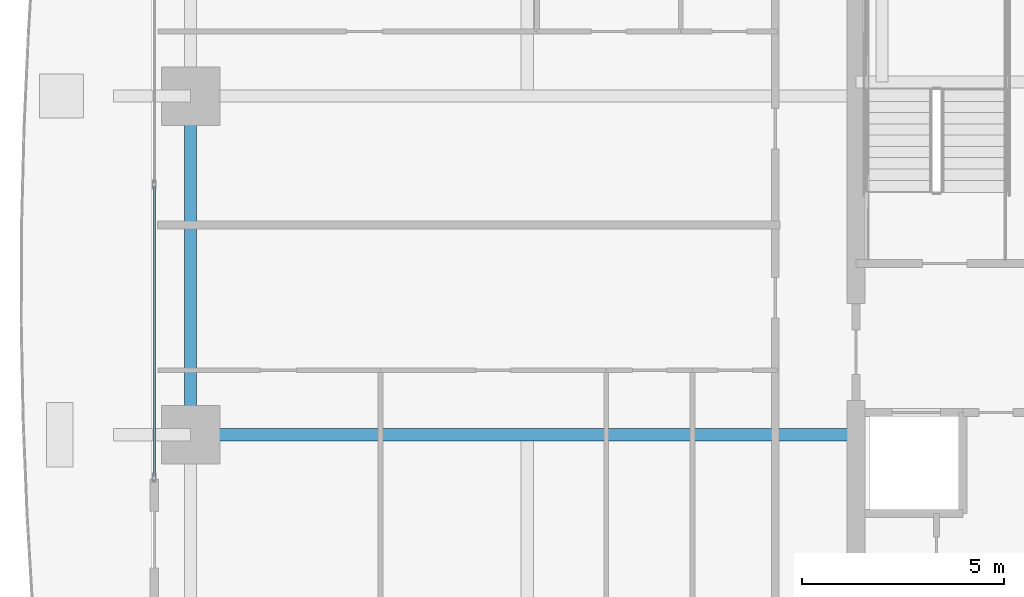
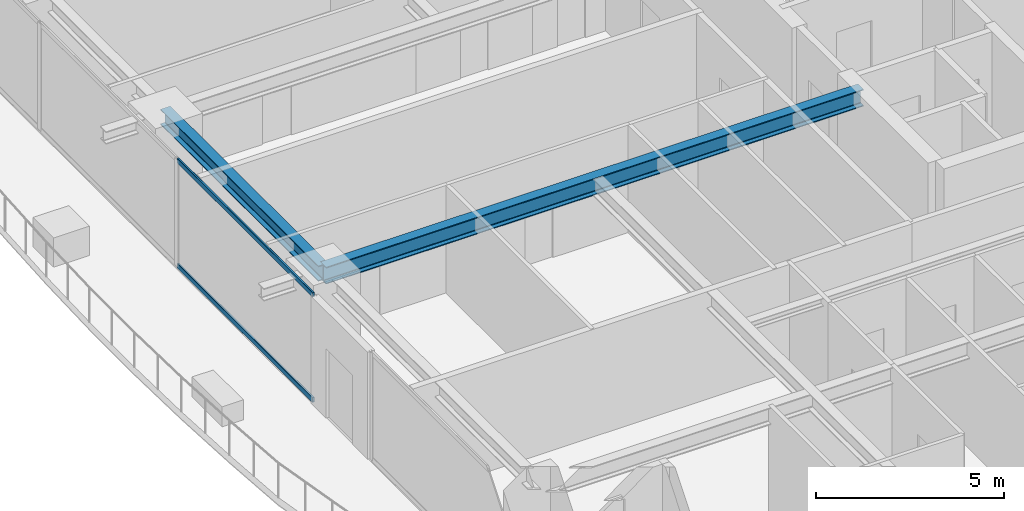
# One storey, part 7 of 39: 2 beams, 2 members, 1 element without a shape of its own.
"""IFC4 building model written with IfcOpenShell, lengths in metres."""

from ifc_helpers import new_model, si_unit, direction, frame, origin, origin_2d, place, context, subcontext, project, spatial, hollow_rectangle, i_section, extrude, source, transform, mapped, material, layer, layer_set, material_profile, profile_set, type_object, element, aggregate, save


model = new_model("IFC4")

# Units and contexts
model_context = context("Model", 3, precision=1e-05, world=origin(), true_north=direction((0.0, 1.0)))
body_context = subcontext(model_context, "Body", "Model", "MODEL_VIEW")
ifc_project = project(units=[si_unit("LENGTHUNIT", "METRE"), si_unit("AREAUNIT", "SQUARE_METRE"), si_unit("VOLUMEUNIT", "CUBIC_METRE"), si_unit("PLANEANGLEUNIT", "RADIAN"), si_unit("MASSUNIT", "GRAM", prefix="KILO")], contexts=[model_context])

# Site, building, storey
site_placement = place(None, origin())
site = spatial("IfcSite", under=ifc_project, at=site_placement, CompositionType="ELEMENT")
building_placement = place(site_placement, origin())
building = spatial("IfcBuilding", under=site, at=building_placement, Name="Serunith Strait Residences", CompositionType="ELEMENT")
storey_placement = place(building_placement, frame((0.0, 0.0, 60.449951171875)))
storey = spatial("IfcBuildingStorey", under=building, at=storey_placement, Name="L14", CompositionType="ELEMENT", Elevation=60.449951171875)

# Beams
ifc_material_1 = material(Name="Steel S355J2", Category="steel")
ifc_material_profile_1 = material_profile(ifc_material_1, i_section(OverallWidth=0.300048828125, OverallDepth=0.550048828125, WebThickness=0.014892578125, FlangeThickness=0.029052734375, FilletRadius=0.027099609375, at=origin_2d()), Name="HEB 550")
ifc_profile_set_1 = profile_set([ifc_material_profile_1], Name="Steel S355J2")
beam_type_1 = type_object("IfcBeamType", Name="BM-HEB550", PredefinedType="BEAM", material=ifc_profile_set_1)
shared_shape_1 = source(origin(), body_context, "Body", "SweptSolid", [
    extrude(i_section(OverallWidth=0.300048828125, OverallDepth=0.550048828125, WebThickness=0.014892578125, FlangeThickness=0.029052734375, FilletRadius=0.027099609375, at=origin_2d()), origin(), (0.0, 0.0, 1.0), 16.5),
])
beam_1_placement = place(storey_placement, frame((23.39990234375, 21.0, 3.212158203125), z_axis=(-1.0, 0.0, 0.0), x_axis=(0.0, -1.0, 0.0)))
element("IfcBeam", 1, at=beam_1_placement, inside=storey, type_object=beam_type_1, Name="L14 Primary Floor Girder TC-W2", PredefinedType="BEAM", context=body_context, shape_type="MappedRepresentation", body=[
    mapped(shared_shape_1, transform((0.0, 0.0, 0.0), scale=1.0)),
])
ifc_material_profile_2 = material_profile(ifc_material_1, i_section(OverallWidth=0.300048828125, OverallDepth=0.5, WebThickness=0.014404296875, FlangeThickness=0.028076171875, FilletRadius=0.027099609375, at=origin_2d()), Name="HEB 500")
ifc_profile_set_2 = profile_set([ifc_material_profile_2], Name="Steel S355J2")
beam_type_2 = type_object("IfcBeamType", Name="BM-HEB500", PredefinedType="BEAM", material=ifc_profile_set_2)
shared_shape_2 = source(origin(), body_context, "Body", "SweptSolid", [
    extrude(i_section(OverallWidth=0.300048828125, OverallDepth=0.5, WebThickness=0.014404296875, FlangeThickness=0.028076171875, FilletRadius=0.027099609375, at=origin_2d()), origin(), (0.0, 0.0, 1.0), 8.39990234375),
])
beam_2_placement = place(storey_placement, frame((6.89990234375, 29.39990234375, 3.237060546875), z_axis=(0.0, -1.0, 0.0), x_axis=(1.0, 0.0, 0.0)))
element("IfcBeam", 2, at=beam_2_placement, inside=storey, type_object=beam_type_2, Name="L14 Perimeter Ring Beam 14", PredefinedType="BEAM", context=body_context, shape_type="MappedRepresentation", body=[
    mapped(shared_shape_2, transform((0.0, 0.0, 0.0), scale=1.0)),
])

# Curtain wall, members
ifc_material_2 = material(Name="Pale-Champagne Anodised Aluminium", Category="aluminium")
ifc_layer = layer(ifc_material_2, 0.199951171875, Name="Pale-Champagne Anodised Aluminium")
ifc_layer_set = layer_set([ifc_layer], Name="Pale-Champagne Anodised Aluminium")
curtain_wall_type = type_object("IfcCurtainWallType", Name="CW-SYS1", PredefinedType="NOTDEFINED", material=ifc_layer_set)
curtain_wall_placement = place(storey_placement, origin())
curtain_wall = element("IfcCurtainWall", 3, at=curtain_wall_placement, inside=storey, type_object=curtain_wall_type, Name="L14 W Unitised Fritted Curtain Wall", PredefinedType="NOTDEFINED")
ifc_material_profile_3 = material_profile(ifc_material_2, hollow_rectangle(XDim=0.06005859375, YDim=0.159912109375, WallThickness=0.00341796875, InnerFilletRadius=0.00537109375, OuterFilletRadius=0.0087890625, at=origin_2d()), Name="ALU 160x60x3.5")
ifc_profile_set_3 = profile_set([ifc_material_profile_3], Name="Pale-Champagne Anodised Aluminium")
member_type = type_object("IfcMemberType", Name="CW-SYS1-TRAN", PredefinedType="USERDEFINED", material=ifc_profile_set_3)
shared_shape_3 = source(origin(), body_context, "Body", "SweptSolid", [
    extrude(hollow_rectangle(XDim=0.06005859375, YDim=0.159912109375, WallThickness=0.00341796875, InnerFilletRadius=0.00537109375, OuterFilletRadius=0.0087890625, at=origin_2d()), origin(), (0.0, 0.0, 1.0), 7.195068359375),
])
member_1_placement = place(storey_placement, frame((6.0, 27.1650390625, 0.030029296875), z_axis=(0.0, -1.0, 0.0), x_axis=(1.0, 0.0, 0.0)))
member_1 = element("IfcMember", 4, at=member_1_placement, type_object=member_type, Name="CW-1 transom 3.1", ObjectType="TRANSOM", PredefinedType="USERDEFINED", context=body_context, shape_type="MappedRepresentation", body=[
    mapped(shared_shape_3, transform((0.0, 0.0, 0.0), scale=1.0)),
])
member_2_placement = place(storey_placement, frame((6.0, 27.1650390625, 3.445068359375), z_axis=(0.0, -1.0, 0.0), x_axis=(1.0, 0.0, 0.0)))
member_2 = element("IfcMember", 5, at=member_2_placement, type_object=member_type, Name="CW-1 transom 3.2", ObjectType="TRANSOM", PredefinedType="USERDEFINED", context=body_context, shape_type="MappedRepresentation", body=[
    mapped(shared_shape_3, transform((0.0, 0.0, 0.0), scale=1.0)),
])
aggregate(curtain_wall, [member_1, member_2])

save(model, "model.ifc")
